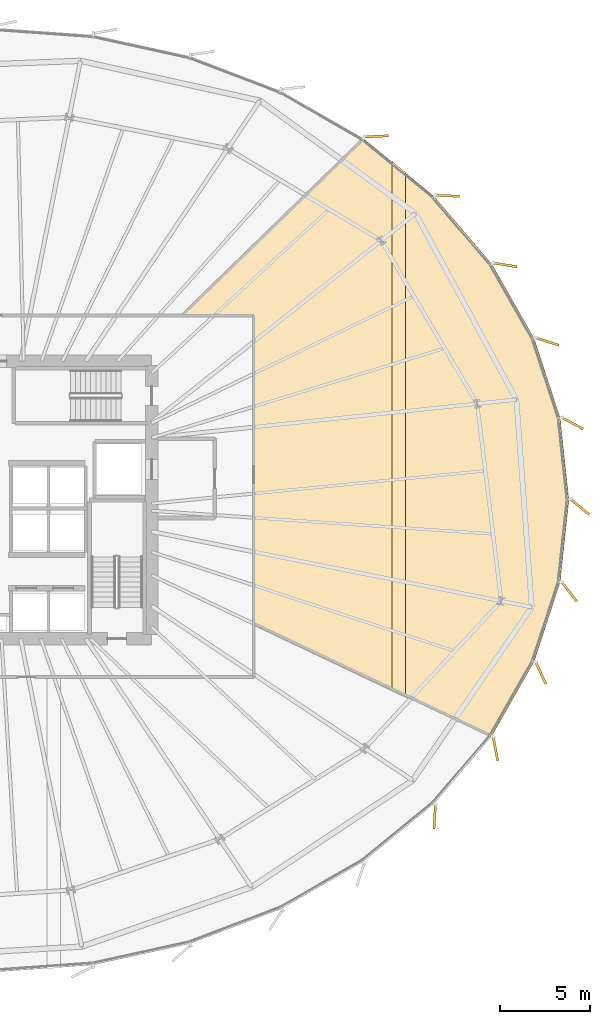
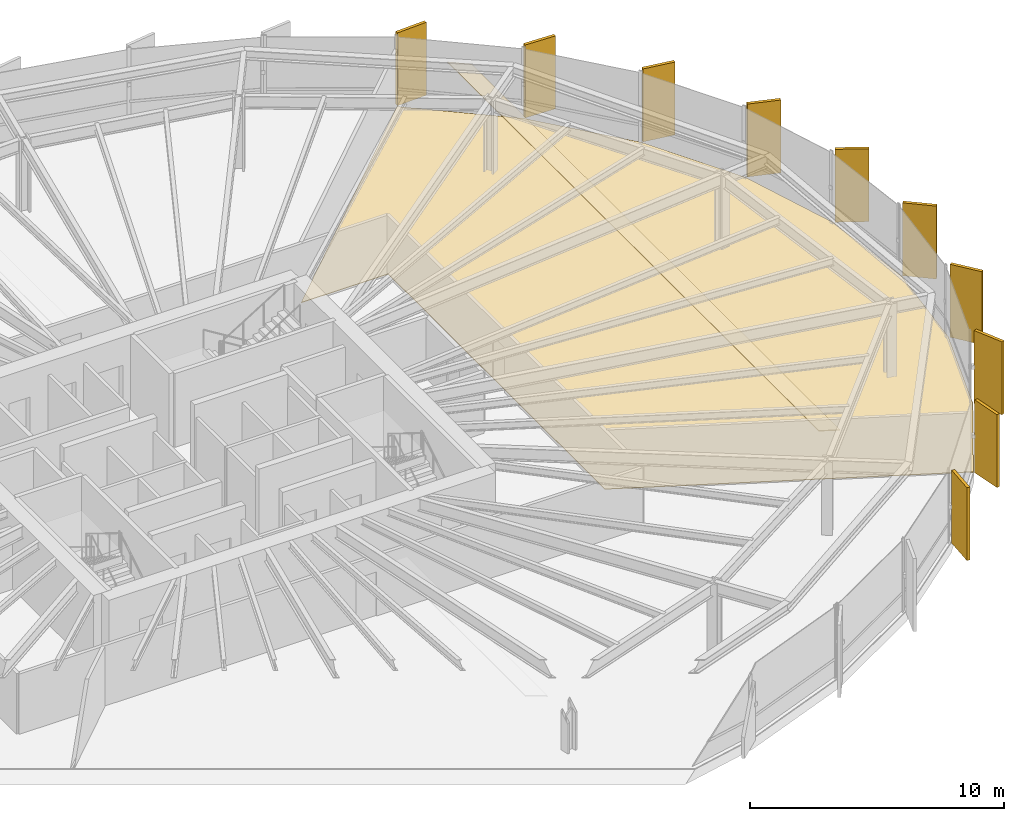
# One storey, part 38 of 38: 12 coverings.
"""IFC4 building model written with IfcOpenShell, lengths in metres."""

from ifc_helpers import new_model, si_unit, direction, frame, origin, origin_2d, place, context, subcontext, project, spatial, polyline, rectangle, outline, extrude, source, transform, mapped, material, layer, layer_set, type_object, element, save


model = new_model("IFC4")

# Units and contexts
model_context = context("Model", 3, precision=1e-05, world=origin(), true_north=direction((0.0, 1.0)))
body_context = subcontext(model_context, "Body", "Model", "MODEL_VIEW")
ifc_project = project(units=[si_unit("LENGTHUNIT", "METRE"), si_unit("AREAUNIT", "SQUARE_METRE"), si_unit("VOLUMEUNIT", "CUBIC_METRE"), si_unit("PLANEANGLEUNIT", "RADIAN"), si_unit("MASSUNIT", "GRAM", prefix="KILO"), si_unit("THERMODYNAMICTEMPERATUREUNIT", "KELVIN")], contexts=[model_context])

# Site, building, storey
site_placement = place(None, origin())
site = spatial("IfcSite", under=ifc_project, at=site_placement, CompositionType="ELEMENT")
building_placement = place(site_placement, origin())
building = spatial("IfcBuilding", under=site, at=building_placement, Name="Kethvar Cultural Tower", CompositionType="ELEMENT")
storey_placement = place(building_placement, frame((0.0, 0.0, 29.60009765625)))
storey = spatial("IfcBuildingStorey", under=building, at=storey_placement, Name="L06", CompositionType="ELEMENT", Elevation=29.60009765625)

# Coverings
ifc_material_1 = material(Name="Acoustic Mineral Fibre Ceiling")
ifc_layer_1 = layer(ifc_material_1, 0.0400390625, Name="Acoustic Mineral Fibre Ceiling")
ifc_layer_set_1 = layer_set([ifc_layer_1], Name="Acoustic Mineral Fibre Ceiling (40 mm)")
covering_type_1 = type_object("IfcCoveringType", Name="CV-ACOUSTIC-CEIL", PredefinedType="CEILING", material=ifc_layer_set_1)
covering_1_placement = place(storey_placement, frame((0.0, 0.0, 2.33984375)))
element("IfcCovering", 1, at=covering_1_placement, inside=storey, type_object=covering_type_1, Name="L06 Room 02 Acoustic Ceiling Panel", PredefinedType="CEILING", context=body_context, shape_type="SweptSolid", body=[
    extrude(outline(polyline([(68.92333984375, 17.306884765625), (68.92333984375, 46.60107421875), (69.67333984375, 45.986083984375), (69.67333984375, 16.951904296875), (68.92333984375, 17.306884765625)])), origin(), (0.0, 0.0, 1.0), 0.0400390625),
])
ifc_material_2 = material(Name="Architectural Oak Timber", Category="wood")
ifc_layer_2 = layer(ifc_material_2, 0.02490234375, Name="Architectural Oak Timber", Category="wood")
ifc_layer_set_2 = layer_set([ifc_layer_2], Name="Architectural Oak Timber (25 mm)")
covering_type_2 = type_object("IfcCoveringType", Name="CV-OAK-FLOOR", PredefinedType="FLOORING", material=ifc_layer_set_2)
covering_2_placement = place(storey_placement, origin())
element("IfcCovering", 2, at=covering_2_placement, inside=storey, type_object=covering_type_2, Name="L06 Room 02 Floor Finish", PredefinedType="FLOORING", context=body_context, shape_type="SweptSolid", body=[
    extrude(outline(polyline([(76.814208984375, 18.84716796875), (74.469970703125, 14.72607421875), (61.2900390625, 20.964111328125), (61.28955078125, 38.0439453125), (57.33056640625, 38.06005859375), (67.3447265625, 47.843505859375), (71.268798828125, 44.626708984375), (74.4619140625, 40.888427734375), (76.814208984375, 36.752685546875), (78.2548828125, 32.345458984375), (78.739990234375, 27.800048828125), (78.2548828125, 23.254638671875), (76.814208984375, 18.84716796875)])), origin(), (0.0, 0.0, 1.0), 0.02490234375),
])
ifc_material_3 = material(Name="Extruded Architectural Terracotta", Category="masonry")
ifc_layer_3 = layer(ifc_material_3, 0.135009765625, Name="Extruded Architectural Terracotta", Category="masonry")
ifc_layer_set_3 = layer_set([ifc_layer_3], Name="Extruded Architectural Terracotta (135 mm)")
covering_type_3 = type_object("IfcCoveringType", Name="Terracotta Facade Fin FIN-01", PredefinedType="CLADDING", material=ifc_layer_set_3)
shared_shape = source(origin(), body_context, "Body", "SweptSolid", [
    extrude(rectangle(XDim=1.35009765625, YDim=0.135009765625, at=origin_2d()), origin(), (0.0, 0.0, 1.0), 3.510009765625),
])
for number, where, z_axis, x_axis, name in (
    (3, (79.354736328125, 27.419677734375, 0.02001953125), (0.0, 0.0, 1.0), (0.769845311576, -0.638230519675, 0.0), "L06 Vertical Terracotta Fin 1.1"),
    (4, (78.946044921875, 32.056884765625, 0.02001953125), (0.0, 0.0, 1.0), (0.882373366331, -0.470549936128, 0.0), "L06 Vertical Terracotta Fin 1.2"),
    (5, (77.544677734375, 36.59375, 0.02001953125), (0.0, 0.0, 1.0), (0.951915745148, -0.306359942125, 0.0), "L06 Vertical Terracotta Fin 1.3"),
    (6, (75.205322265625, 40.843994140625, 0.02001953125), (0.0, 0.0, 1.0), (0.987108345507, -0.160053473036, 0.0), "L06 Vertical Terracotta Fin 1.4"),
    (7, (72.0078125, 44.67578125, 0.02001953125), (0.0, 0.0, 1.0), (0.999187375577, -0.040306184241, 0.0), "L06 Vertical Terracotta Fin 1.5"),
    (8, (68.0576171875, 47.97314453125, 0.02001953125), (0.0, 0.0, 1.0), (0.998780422749, 0.049372736746, 0.0), "L06 Vertical Terracotta Fin 1.6"),
    (9, (71.302734375, 10.233154296875, 0.02001953125), (0.0, 0.0, 1.0), (-0.06070012105, -0.998156047572, 0.0), "L06 Vertical Terracotta Fin 6.3"),
    (10, (74.672607421875, 13.9970703125, 0.02001953125), (0.0, 0.0, 1.0), (0.184809053369, -0.982774447059, 0.0), "L06 Vertical Terracotta Fin 6.4"),
    (11, (77.187744140625, 18.19970703125, 0.02001953125), (0.0, 0.0, 1.0), (0.413422293217, -0.910539404678, 0.0), "L06 Vertical Terracotta Fin 6.5"),
    (12, (78.76708984375, 22.7080078125, 0.02001953125), (0.0, 0.0, 1.0), (0.611941240013, -0.790903229713, 0.0), "L06 Vertical Terracotta Fin 6.6"),
):
    element("IfcCovering", number, at=place(storey_placement, frame(where, z_axis=z_axis, x_axis=x_axis)), inside=storey, type_object=covering_type_3, Name=name, PredefinedType="CLADDING", context=body_context, shape_type="MappedRepresentation", body=[
        mapped(shared_shape, transform((0.0, 0.0, 0.0), scale=1.0)),
    ])

save(model, "model.ifc")
